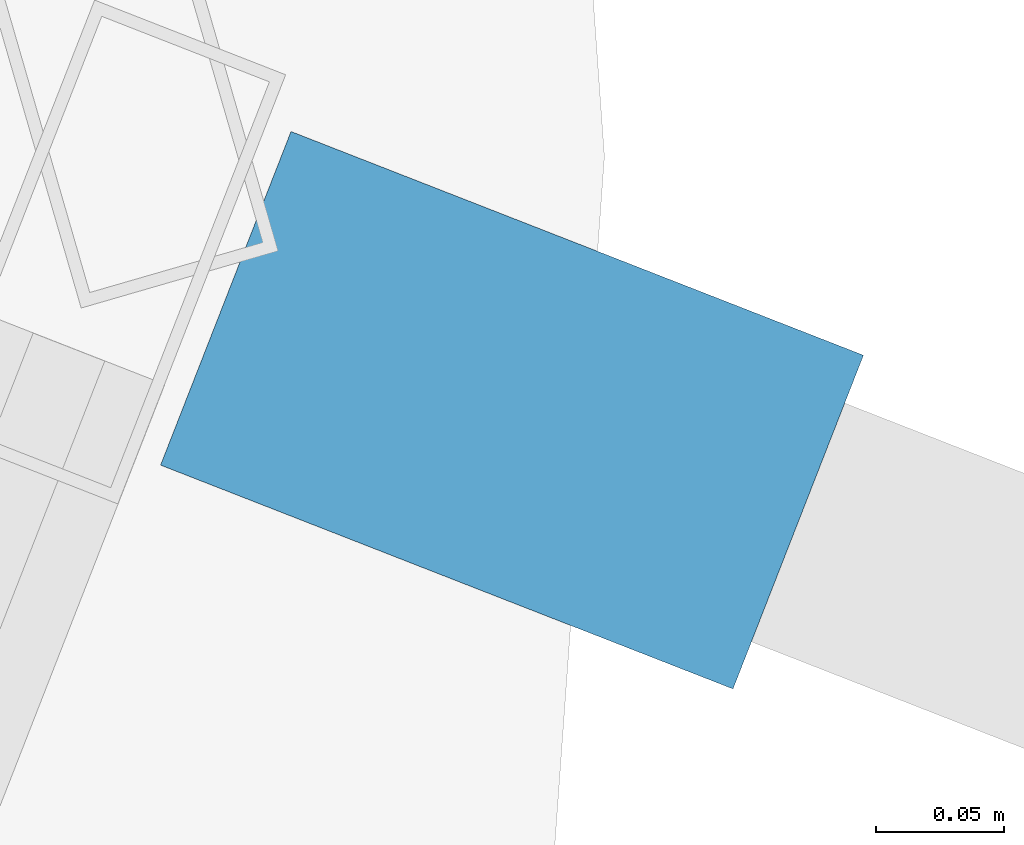
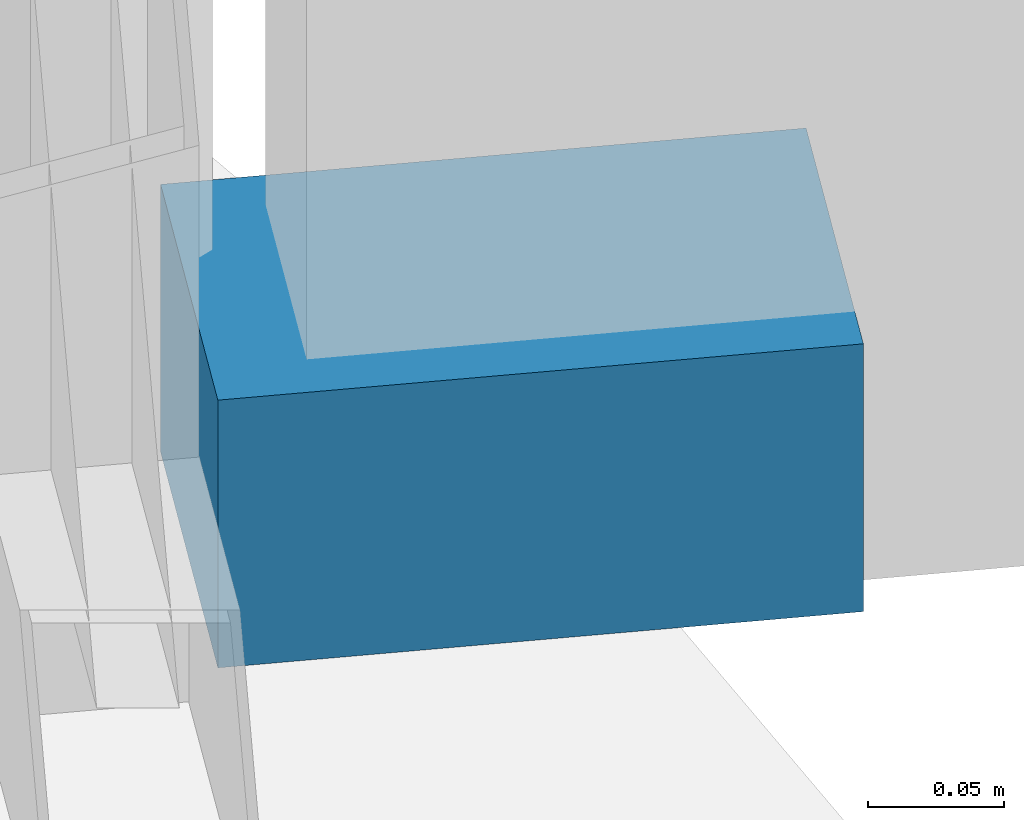
# One storey, part 30 of 34: 1 discrete accessory.
"""IFC4 building model written with IfcOpenShell, lengths in metres."""

from ifc_helpers import new_model, si_unit, direction, frame, origin, origin_2d, place, context, subcontext, project, spatial, rectangle, extrude, material, type_object, element, save


model = new_model("IFC4")

# Units and contexts
model_context = context("Model", 3, precision=1e-05, world=origin(), true_north=direction((0.0, 1.0)))
body_context = subcontext(model_context, "Body", "Model", "MODEL_VIEW")
ifc_project = project(units=[si_unit("LENGTHUNIT", "METRE"), si_unit("AREAUNIT", "SQUARE_METRE"), si_unit("VOLUMEUNIT", "CUBIC_METRE"), si_unit("PLANEANGLEUNIT", "RADIAN"), si_unit("MASSUNIT", "GRAM", prefix="KILO")], contexts=[model_context])

# Site, building, storey
site_placement = place(None, origin())
site = spatial("IfcSite", under=ifc_project, at=site_placement, CompositionType="ELEMENT")
building_placement = place(site_placement, origin())
building = spatial("IfcBuilding", under=site, at=building_placement, Name="Kazevale Care Tower and Concert Hall", CompositionType="ELEMENT")
storey_placement = place(building_placement, frame((0.0, 0.0, 156.60009765625)))
storey = spatial("IfcBuildingStorey", under=building, at=storey_placement, Name="L41", CompositionType="ELEMENT", Elevation=156.60009765625)

# Discrete accessory
ifc_material = material(Name="Stainless Steel 316", Category="steel")
discrete_accessory_type = type_object("IfcDiscreteAccessoryType", Name="Facade Fin Stainless Anchor Bracket BRK-1", PredefinedType="BRACKET", material=ifc_material)
discrete_accessory_placement = place(storey_placement, frame((79.36376953125, 37.90087890625, -0.000244140625), z_axis=(0.0, 0.0, 1.0), x_axis=(0.931373876365, -0.364064146031, 0.0)))
element("IfcDiscreteAccessory", 1, at=discrete_accessory_placement, inside=storey, type_object=discrete_accessory_type, Name="cw:L41:f01:brk", PredefinedType="BRACKET", context=body_context, shape_type="SweptSolid", body=[
    extrude(rectangle(XDim=0.239990234375, YDim=0.139892578125, at=origin_2d()), origin(), (0.0, 0.0, 1.0), 0.1201171875),
])

save(model, "model.ifc")
